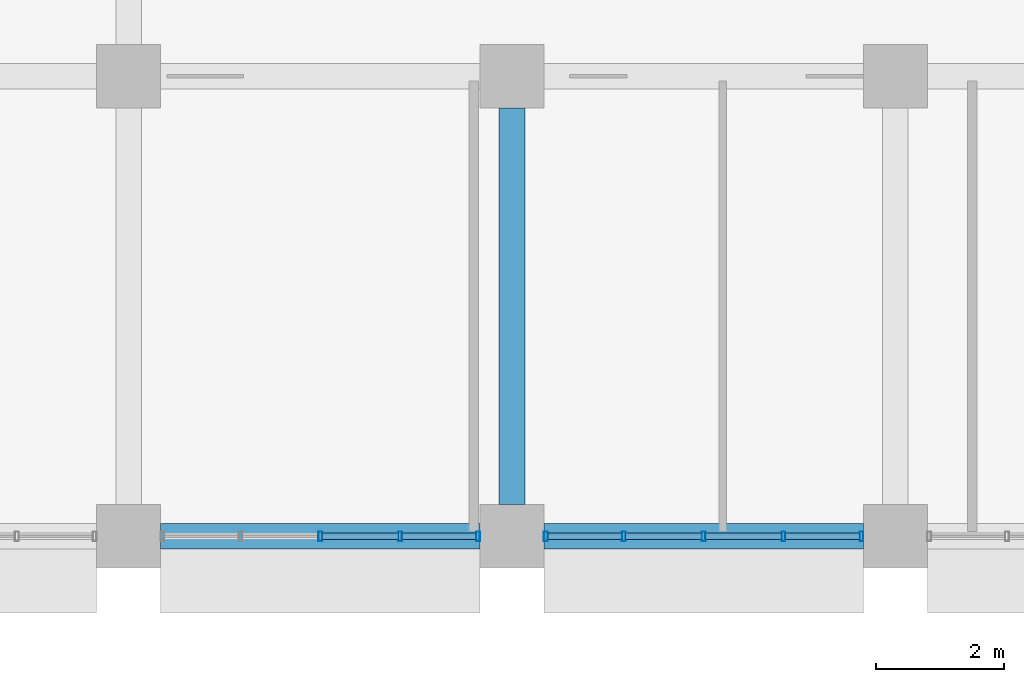
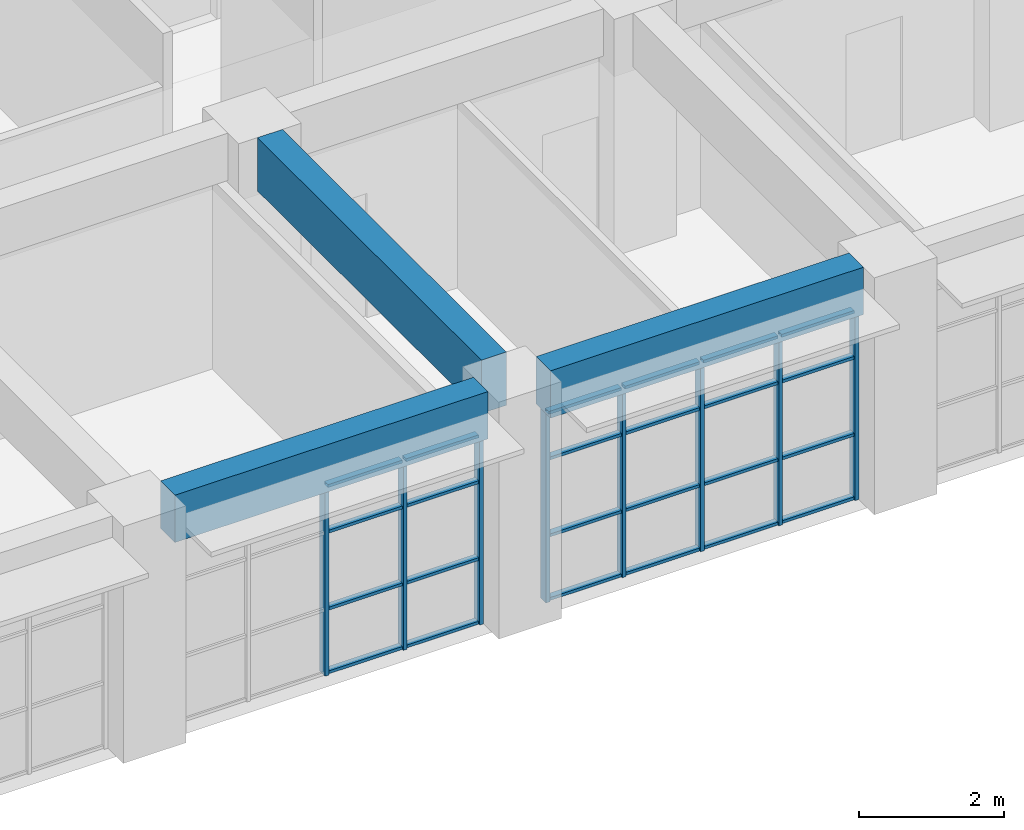
# One storey, part 47 of 101: 32 members, 3 beams, 2 elements without a shape of their own.
"""IFC4 building model written with IfcOpenShell, lengths in metres."""

from ifc_helpers import new_model, si_unit, direction, frame, origin, origin_2d, place, context, subcontext, project, spatial, rectangle, hollow_rectangle, extrude, material, material_profile, profile_set, type_object, element, aggregate, save


model = new_model("IFC4")

# Units and contexts
model_context = context("Model", 3, precision=1e-05, world=origin(), true_north=direction((0.0, 1.0)))
body_context = subcontext(model_context, "Body", "Model", "MODEL_VIEW")
ifc_project = project(units=[si_unit("LENGTHUNIT", "METRE"), si_unit("AREAUNIT", "SQUARE_METRE"), si_unit("VOLUMEUNIT", "CUBIC_METRE"), si_unit("PLANEANGLEUNIT", "RADIAN"), si_unit("MASSUNIT", "GRAM", prefix="KILO")], contexts=[model_context])

# Site, building, storey
site_placement = place(None, origin())
site = spatial("IfcSite", under=ifc_project, at=site_placement, CompositionType="ELEMENT")
building_placement = place(site_placement, origin())
building = spatial("IfcBuilding", under=site, at=building_placement, Name="Laocheng Heights Fire and Rescue Headquarters", CompositionType="ELEMENT")
storey_placement = place(building_placement, frame((0.0, 0.0, 8.39990234375)))
storey = spatial("IfcBuildingStorey", under=building, at=storey_placement, Name="L02", CompositionType="ELEMENT", Elevation=8.39990234375)

# Curtain wall, members
ifc_material_1 = material(Name="Dark anodised aluminium unitised curtain wall, low-e double glazing", Category="aluminium")
curtain_wall_type = type_object("IfcCurtainWallType", Name="CW 5000 x 3200 HQ SOUTH RIBBON", PredefinedType="NOTDEFINED", material=ifc_material_1)
curtain_wall_1_placement = place(storey_placement, origin())
curtain_wall_1 = element("IfcCurtainWall", 1, at=curtain_wall_1_placement, inside=storey, type_object=curtain_wall_type, Name="X10-X HQ SOUTH L02", PredefinedType="NOTDEFINED")
ifc_material_2 = material(Name="Dark anodised aluminium 6063-T5 extrusion", Category="aluminium")
ifc_material_profile_1 = material_profile(ifc_material_2, hollow_rectangle(XDim=0.14990234375, YDim=0.06005859375, WallThickness=0.0029296875, at=origin_2d()), Name="AL MULLION 150x60x3 HQ SOUTH RIBBON")
ifc_profile_set_1 = profile_set([ifc_material_profile_1], Name="Dark anodised aluminium 6063-T5 extrusion")
member_type_1 = type_object("IfcMemberType", Name="AL MULLION 150x60x3 HQ SOUTH RIBBON", PredefinedType="MULLION", material=ifc_profile_set_1)
member_1_placement = place(storey_placement, frame((63.0, 50.39990234375, 0.0), z_axis=(0.0, 0.0, 1.0), x_axis=(0.0, 1.0, 0.0)))
member_1 = element("IfcMember", 2, at=member_1_placement, type_object=member_type_1, Name="X10-X mullion 3", PredefinedType="MULLION", context=body_context, shape_type="SweptSolid", body=[
    extrude(hollow_rectangle(XDim=0.14990234375, YDim=0.06005859375, WallThickness=0.0029296875, at=origin_2d()), origin(), (0.0, 0.0, 1.0), 3.2001953125),
])
member_2_placement = place(storey_placement, frame((64.25, 50.39990234375, 0.0), z_axis=(0.0, 0.0, 1.0), x_axis=(0.0, 1.0, 0.0)))
member_2 = element("IfcMember", 3, at=member_2_placement, type_object=member_type_1, Name="X10-X mullion 4", PredefinedType="MULLION", context=body_context, shape_type="SweptSolid", body=[
    extrude(hollow_rectangle(XDim=0.14990234375, YDim=0.06005859375, WallThickness=0.0029296875, at=origin_2d()), origin(), (0.0, 0.0, 1.0), 3.2001953125),
])
member_3_placement = place(storey_placement, frame((65.469970703125, 50.39990234375, 0.0), z_axis=(0.0, 0.0, 1.0), x_axis=(0.0, 1.0, 0.0)))
member_3 = element("IfcMember", 4, at=member_3_placement, type_object=member_type_1, Name="X10-X mullion 5", PredefinedType="MULLION", context=body_context, shape_type="SweptSolid", body=[
    extrude(hollow_rectangle(XDim=0.14990234375, YDim=0.06005859375, WallThickness=0.0029296875, at=origin_2d()), origin(), (0.0, 0.0, 1.0), 3.2001953125),
])

curtain_wall_2_placement = place(storey_placement, origin())
curtain_wall_2 = element("IfcCurtainWall", 5, at=curtain_wall_2_placement, inside=storey, type_object=curtain_wall_type, Name="X10-X HQ SOUTH L02", PredefinedType="NOTDEFINED")
member_4_placement = place(storey_placement, frame((66.530029296875, 50.39990234375, 0.0), z_axis=(0.0, 0.0, 1.0), x_axis=(0.0, 1.0, 0.0)))
member_4 = element("IfcMember", 6, at=member_4_placement, type_object=member_type_1, Name="X10-X mullion 1", PredefinedType="MULLION", context=body_context, shape_type="SweptSolid", body=[
    extrude(hollow_rectangle(XDim=0.14990234375, YDim=0.06005859375, WallThickness=0.0029296875, at=origin_2d()), origin(), (0.0, 0.0, 1.0), 3.2001953125),
])
member_5_placement = place(storey_placement, frame((67.75, 50.39990234375, 0.0), z_axis=(0.0, 0.0, 1.0), x_axis=(0.0, 1.0, 0.0)))
member_5 = element("IfcMember", 7, at=member_5_placement, type_object=member_type_1, Name="X10-X mullion 2", PredefinedType="MULLION", context=body_context, shape_type="SweptSolid", body=[
    extrude(hollow_rectangle(XDim=0.14990234375, YDim=0.06005859375, WallThickness=0.0029296875, at=origin_2d()), origin(), (0.0, 0.0, 1.0), 3.2001953125),
])
member_6_placement = place(storey_placement, frame((69.0, 50.39990234375, 0.0), z_axis=(0.0, 0.0, 1.0), x_axis=(0.0, 1.0, 0.0)))
member_6 = element("IfcMember", 8, at=member_6_placement, type_object=member_type_1, Name="X10-X mullion 3", PredefinedType="MULLION", context=body_context, shape_type="SweptSolid", body=[
    extrude(hollow_rectangle(XDim=0.14990234375, YDim=0.06005859375, WallThickness=0.0029296875, at=origin_2d()), origin(), (0.0, 0.0, 1.0), 3.2001953125),
])
member_7_placement = place(storey_placement, frame((70.25, 50.39990234375, 0.0), z_axis=(0.0, 0.0, 1.0), x_axis=(0.0, 1.0, 0.0)))
member_7 = element("IfcMember", 9, at=member_7_placement, type_object=member_type_1, Name="X10-X mullion 4", PredefinedType="MULLION", context=body_context, shape_type="SweptSolid", body=[
    extrude(hollow_rectangle(XDim=0.14990234375, YDim=0.06005859375, WallThickness=0.0029296875, at=origin_2d()), origin(), (0.0, 0.0, 1.0), 3.2001953125),
])
member_8_placement = place(storey_placement, frame((71.469970703125, 50.39990234375, 0.0), z_axis=(0.0, 0.0, 1.0), x_axis=(0.0, 1.0, 0.0)))
member_8 = element("IfcMember", 10, at=member_8_placement, type_object=member_type_1, Name="X10-X mullion 5", PredefinedType="MULLION", context=body_context, shape_type="SweptSolid", body=[
    extrude(hollow_rectangle(XDim=0.14990234375, YDim=0.06005859375, WallThickness=0.0029296875, at=origin_2d()), origin(), (0.0, 0.0, 1.0), 3.2001953125),
])

# Member
ifc_material_3 = material(Name="Dark anodised aluminium 6063-T5 extrusion", Category="aluminium")
ifc_material_profile_2 = material_profile(ifc_material_3, hollow_rectangle(XDim=0.10009765625, YDim=0.050048828125, WallThickness=0.0029296875, at=origin_2d()), Name="AL TRANSOM 100x50x3 HQ SOUTH RIBBON")
ifc_profile_set_2 = profile_set([ifc_material_profile_2], Name="Dark anodised aluminium 6063-T5 extrusion")
member_type_2 = type_object("IfcMemberType", Name="AL TRANSOM 100x50x3 HQ SOUTH RIBBON", PredefinedType="USERDEFINED", material=ifc_profile_set_2)
member_9_placement = place(storey_placement, frame((63.030029296875, 50.39990234375, 0.025146484375), z_axis=(1.0, 0.0, 0.0), x_axis=(0.0, 1.0, 0.0)))
member_9 = element("IfcMember", 11, at=member_9_placement, type_object=member_type_2, Name="X10-X transom 3.1", ObjectType="TRANSOM", PredefinedType="USERDEFINED", context=body_context, shape_type="SweptSolid", body=[
    extrude(hollow_rectangle(XDim=0.10009765625, YDim=0.050048828125, WallThickness=0.0029296875, at=origin_2d()), origin(), (0.0, 0.0, 1.0), 1.18994140625),
])

member_10_placement = place(storey_placement, frame((63.030029296875, 50.39990234375, 1.10009765625), z_axis=(1.0, 0.0, 0.0), x_axis=(0.0, 1.0, 0.0)))
member_10 = element("IfcMember", 12, at=member_10_placement, type_object=member_type_2, Name="X10-X transom 3.2", ObjectType="TRANSOM", PredefinedType="USERDEFINED", context=body_context, shape_type="SweptSolid", body=[
    extrude(hollow_rectangle(XDim=0.10009765625, YDim=0.050048828125, WallThickness=0.0029296875, at=origin_2d()), origin(), (0.0, 0.0, 1.0), 1.18994140625),
])

member_11_placement = place(storey_placement, frame((63.030029296875, 50.39990234375, 2.400146484375), z_axis=(1.0, 0.0, 0.0), x_axis=(0.0, 1.0, 0.0)))
member_11 = element("IfcMember", 13, at=member_11_placement, type_object=member_type_2, Name="X10-X transom 3.3", ObjectType="TRANSOM", PredefinedType="USERDEFINED", context=body_context, shape_type="SweptSolid", body=[
    extrude(hollow_rectangle(XDim=0.10009765625, YDim=0.050048828125, WallThickness=0.0029296875, at=origin_2d()), origin(), (0.0, 0.0, 1.0), 1.18994140625),
])

member_12_placement = place(storey_placement, frame((63.030029296875, 50.39990234375, 3.175048828125), z_axis=(1.0, 0.0, 0.0), x_axis=(0.0, 1.0, 0.0)))
member_12 = element("IfcMember", 14, at=member_12_placement, type_object=member_type_2, Name="X10-X transom 3.4", ObjectType="TRANSOM", PredefinedType="USERDEFINED", context=body_context, shape_type="SweptSolid", body=[
    extrude(hollow_rectangle(XDim=0.10009765625, YDim=0.050048828125, WallThickness=0.0029296875, at=origin_2d()), origin(), (0.0, 0.0, 1.0), 1.18994140625),
])

member_13_placement = place(storey_placement, frame((64.280029296875, 50.39990234375, 0.025146484375), z_axis=(1.0, 0.0, 0.0), x_axis=(0.0, 1.0, 0.0)))
member_13 = element("IfcMember", 15, at=member_13_placement, type_object=member_type_2, Name="X10-X transom 4.1", ObjectType="TRANSOM", PredefinedType="USERDEFINED", context=body_context, shape_type="SweptSolid", body=[
    extrude(hollow_rectangle(XDim=0.10009765625, YDim=0.050048828125, WallThickness=0.0029296875, at=origin_2d()), origin(), (0.0, 0.0, 1.0), 1.159912109375),
])

member_14_placement = place(storey_placement, frame((64.280029296875, 50.39990234375, 1.10009765625), z_axis=(1.0, 0.0, 0.0), x_axis=(0.0, 1.0, 0.0)))
member_14 = element("IfcMember", 16, at=member_14_placement, type_object=member_type_2, Name="X10-X transom 4.2", ObjectType="TRANSOM", PredefinedType="USERDEFINED", context=body_context, shape_type="SweptSolid", body=[
    extrude(hollow_rectangle(XDim=0.10009765625, YDim=0.050048828125, WallThickness=0.0029296875, at=origin_2d()), origin(), (0.0, 0.0, 1.0), 1.159912109375),
])

member_15_placement = place(storey_placement, frame((64.280029296875, 50.39990234375, 2.400146484375), z_axis=(1.0, 0.0, 0.0), x_axis=(0.0, 1.0, 0.0)))
member_15 = element("IfcMember", 17, at=member_15_placement, type_object=member_type_2, Name="X10-X transom 4.3", ObjectType="TRANSOM", PredefinedType="USERDEFINED", context=body_context, shape_type="SweptSolid", body=[
    extrude(hollow_rectangle(XDim=0.10009765625, YDim=0.050048828125, WallThickness=0.0029296875, at=origin_2d()), origin(), (0.0, 0.0, 1.0), 1.159912109375),
])

member_16_placement = place(storey_placement, frame((64.280029296875, 50.39990234375, 3.175048828125), z_axis=(1.0, 0.0, 0.0), x_axis=(0.0, 1.0, 0.0)))
member_16 = element("IfcMember", 18, at=member_16_placement, type_object=member_type_2, Name="X10-X transom 4.4", ObjectType="TRANSOM", PredefinedType="USERDEFINED", context=body_context, shape_type="SweptSolid", body=[
    extrude(hollow_rectangle(XDim=0.10009765625, YDim=0.050048828125, WallThickness=0.0029296875, at=origin_2d()), origin(), (0.0, 0.0, 1.0), 1.159912109375),
])

aggregate(curtain_wall_1, [member_1, member_2, member_3, member_9, member_10, member_11, member_12, member_13, member_14, member_15, member_16])

member_17_placement = place(storey_placement, frame((66.56005859375, 50.39990234375, 0.025146484375), z_axis=(1.0, 0.0, 0.0), x_axis=(0.0, 1.0, 0.0)))
member_17 = element("IfcMember", 19, at=member_17_placement, type_object=member_type_2, Name="X10-X transom 1.1", ObjectType="TRANSOM", PredefinedType="USERDEFINED", context=body_context, shape_type="SweptSolid", body=[
    extrude(hollow_rectangle(XDim=0.10009765625, YDim=0.050048828125, WallThickness=0.0029296875, at=origin_2d()), origin(), (0.0, 0.0, 1.0), 1.159912109375),
])

member_18_placement = place(storey_placement, frame((66.56005859375, 50.39990234375, 1.10009765625), z_axis=(1.0, 0.0, 0.0), x_axis=(0.0, 1.0, 0.0)))
member_18 = element("IfcMember", 20, at=member_18_placement, type_object=member_type_2, Name="X10-X transom 1.2", ObjectType="TRANSOM", PredefinedType="USERDEFINED", context=body_context, shape_type="SweptSolid", body=[
    extrude(hollow_rectangle(XDim=0.10009765625, YDim=0.050048828125, WallThickness=0.0029296875, at=origin_2d()), origin(), (0.0, 0.0, 1.0), 1.159912109375),
])

member_19_placement = place(storey_placement, frame((66.56005859375, 50.39990234375, 2.400146484375), z_axis=(1.0, 0.0, 0.0), x_axis=(0.0, 1.0, 0.0)))
member_19 = element("IfcMember", 21, at=member_19_placement, type_object=member_type_2, Name="X10-X transom 1.3", ObjectType="TRANSOM", PredefinedType="USERDEFINED", context=body_context, shape_type="SweptSolid", body=[
    extrude(hollow_rectangle(XDim=0.10009765625, YDim=0.050048828125, WallThickness=0.0029296875, at=origin_2d()), origin(), (0.0, 0.0, 1.0), 1.159912109375),
])

member_20_placement = place(storey_placement, frame((66.56005859375, 50.39990234375, 3.175048828125), z_axis=(1.0, 0.0, 0.0), x_axis=(0.0, 1.0, 0.0)))
member_20 = element("IfcMember", 22, at=member_20_placement, type_object=member_type_2, Name="X10-X transom 1.4", ObjectType="TRANSOM", PredefinedType="USERDEFINED", context=body_context, shape_type="SweptSolid", body=[
    extrude(hollow_rectangle(XDim=0.10009765625, YDim=0.050048828125, WallThickness=0.0029296875, at=origin_2d()), origin(), (0.0, 0.0, 1.0), 1.159912109375),
])

member_21_placement = place(storey_placement, frame((67.780029296875, 50.39990234375, 0.025146484375), z_axis=(1.0, 0.0, 0.0), x_axis=(0.0, 1.0, 0.0)))
member_21 = element("IfcMember", 23, at=member_21_placement, type_object=member_type_2, Name="X10-X transom 2.1", ObjectType="TRANSOM", PredefinedType="USERDEFINED", context=body_context, shape_type="SweptSolid", body=[
    extrude(hollow_rectangle(XDim=0.10009765625, YDim=0.050048828125, WallThickness=0.0029296875, at=origin_2d()), origin(), (0.0, 0.0, 1.0), 1.18994140625),
])

member_22_placement = place(storey_placement, frame((67.780029296875, 50.39990234375, 1.10009765625), z_axis=(1.0, 0.0, 0.0), x_axis=(0.0, 1.0, 0.0)))
member_22 = element("IfcMember", 24, at=member_22_placement, type_object=member_type_2, Name="X10-X transom 2.2", ObjectType="TRANSOM", PredefinedType="USERDEFINED", context=body_context, shape_type="SweptSolid", body=[
    extrude(hollow_rectangle(XDim=0.10009765625, YDim=0.050048828125, WallThickness=0.0029296875, at=origin_2d()), origin(), (0.0, 0.0, 1.0), 1.18994140625),
])

member_23_placement = place(storey_placement, frame((67.780029296875, 50.39990234375, 2.400146484375), z_axis=(1.0, 0.0, 0.0), x_axis=(0.0, 1.0, 0.0)))
member_23 = element("IfcMember", 25, at=member_23_placement, type_object=member_type_2, Name="X10-X transom 2.3", ObjectType="TRANSOM", PredefinedType="USERDEFINED", context=body_context, shape_type="SweptSolid", body=[
    extrude(hollow_rectangle(XDim=0.10009765625, YDim=0.050048828125, WallThickness=0.0029296875, at=origin_2d()), origin(), (0.0, 0.0, 1.0), 1.18994140625),
])

member_24_placement = place(storey_placement, frame((67.780029296875, 50.39990234375, 3.175048828125), z_axis=(1.0, 0.0, 0.0), x_axis=(0.0, 1.0, 0.0)))
member_24 = element("IfcMember", 26, at=member_24_placement, type_object=member_type_2, Name="X10-X transom 2.4", ObjectType="TRANSOM", PredefinedType="USERDEFINED", context=body_context, shape_type="SweptSolid", body=[
    extrude(hollow_rectangle(XDim=0.10009765625, YDim=0.050048828125, WallThickness=0.0029296875, at=origin_2d()), origin(), (0.0, 0.0, 1.0), 1.18994140625),
])

member_25_placement = place(storey_placement, frame((69.030029296875, 50.39990234375, 0.025146484375), z_axis=(1.0, 0.0, 0.0), x_axis=(0.0, 1.0, 0.0)))
member_25 = element("IfcMember", 27, at=member_25_placement, type_object=member_type_2, Name="X10-X transom 3.1", ObjectType="TRANSOM", PredefinedType="USERDEFINED", context=body_context, shape_type="SweptSolid", body=[
    extrude(hollow_rectangle(XDim=0.10009765625, YDim=0.050048828125, WallThickness=0.0029296875, at=origin_2d()), origin(), (0.0, 0.0, 1.0), 1.18994140625),
])

member_26_placement = place(storey_placement, frame((69.030029296875, 50.39990234375, 1.10009765625), z_axis=(1.0, 0.0, 0.0), x_axis=(0.0, 1.0, 0.0)))
member_26 = element("IfcMember", 28, at=member_26_placement, type_object=member_type_2, Name="X10-X transom 3.2", ObjectType="TRANSOM", PredefinedType="USERDEFINED", context=body_context, shape_type="SweptSolid", body=[
    extrude(hollow_rectangle(XDim=0.10009765625, YDim=0.050048828125, WallThickness=0.0029296875, at=origin_2d()), origin(), (0.0, 0.0, 1.0), 1.18994140625),
])

member_27_placement = place(storey_placement, frame((69.030029296875, 50.39990234375, 2.400146484375), z_axis=(1.0, 0.0, 0.0), x_axis=(0.0, 1.0, 0.0)))
member_27 = element("IfcMember", 29, at=member_27_placement, type_object=member_type_2, Name="X10-X transom 3.3", ObjectType="TRANSOM", PredefinedType="USERDEFINED", context=body_context, shape_type="SweptSolid", body=[
    extrude(hollow_rectangle(XDim=0.10009765625, YDim=0.050048828125, WallThickness=0.0029296875, at=origin_2d()), origin(), (0.0, 0.0, 1.0), 1.18994140625),
])

member_28_placement = place(storey_placement, frame((69.030029296875, 50.39990234375, 3.175048828125), z_axis=(1.0, 0.0, 0.0), x_axis=(0.0, 1.0, 0.0)))
member_28 = element("IfcMember", 30, at=member_28_placement, type_object=member_type_2, Name="X10-X transom 3.4", ObjectType="TRANSOM", PredefinedType="USERDEFINED", context=body_context, shape_type="SweptSolid", body=[
    extrude(hollow_rectangle(XDim=0.10009765625, YDim=0.050048828125, WallThickness=0.0029296875, at=origin_2d()), origin(), (0.0, 0.0, 1.0), 1.18994140625),
])

member_29_placement = place(storey_placement, frame((70.280029296875, 50.39990234375, 0.025146484375), z_axis=(1.0, 0.0, 0.0), x_axis=(0.0, 1.0, 0.0)))
member_29 = element("IfcMember", 31, at=member_29_placement, type_object=member_type_2, Name="X10-X transom 4.1", ObjectType="TRANSOM", PredefinedType="USERDEFINED", context=body_context, shape_type="SweptSolid", body=[
    extrude(hollow_rectangle(XDim=0.10009765625, YDim=0.050048828125, WallThickness=0.0029296875, at=origin_2d()), origin(), (0.0, 0.0, 1.0), 1.159912109375),
])

member_30_placement = place(storey_placement, frame((70.280029296875, 50.39990234375, 1.10009765625), z_axis=(1.0, 0.0, 0.0), x_axis=(0.0, 1.0, 0.0)))
member_30 = element("IfcMember", 32, at=member_30_placement, type_object=member_type_2, Name="X10-X transom 4.2", ObjectType="TRANSOM", PredefinedType="USERDEFINED", context=body_context, shape_type="SweptSolid", body=[
    extrude(hollow_rectangle(XDim=0.10009765625, YDim=0.050048828125, WallThickness=0.0029296875, at=origin_2d()), origin(), (0.0, 0.0, 1.0), 1.159912109375),
])

member_31_placement = place(storey_placement, frame((70.280029296875, 50.39990234375, 2.400146484375), z_axis=(1.0, 0.0, 0.0), x_axis=(0.0, 1.0, 0.0)))
member_31 = element("IfcMember", 33, at=member_31_placement, type_object=member_type_2, Name="X10-X transom 4.3", ObjectType="TRANSOM", PredefinedType="USERDEFINED", context=body_context, shape_type="SweptSolid", body=[
    extrude(hollow_rectangle(XDim=0.10009765625, YDim=0.050048828125, WallThickness=0.0029296875, at=origin_2d()), origin(), (0.0, 0.0, 1.0), 1.159912109375),
])

member_32_placement = place(storey_placement, frame((70.280029296875, 50.39990234375, 3.175048828125), z_axis=(1.0, 0.0, 0.0), x_axis=(0.0, 1.0, 0.0)))
member_32 = element("IfcMember", 34, at=member_32_placement, type_object=member_type_2, Name="X10-X transom 4.4", ObjectType="TRANSOM", PredefinedType="USERDEFINED", context=body_context, shape_type="SweptSolid", body=[
    extrude(hollow_rectangle(XDim=0.10009765625, YDim=0.050048828125, WallThickness=0.0029296875, at=origin_2d()), origin(), (0.0, 0.0, 1.0), 1.159912109375),
])

aggregate(curtain_wall_2, [member_4, member_5, member_6, member_7, member_8, member_17, member_18, member_19, member_20, member_21, member_22, member_23, member_24, member_25, member_26, member_27, member_28, member_29, member_30, member_31, member_32])

# Beams
ifc_material_4 = material(Name="Concrete C40", Category="concrete")
ifc_material_profile_3 = material_profile(ifc_material_4, rectangle(XDim=0.39990234375, YDim=0.800048828125, at=origin_2d()), Name="RC BEAM 400x800 HQ")
ifc_profile_set_3 = profile_set([ifc_material_profile_3], Name="Concrete C40")
beam_type_1 = type_object("IfcBeamType", Name="RC BEAM 400x800 HQ", PredefinedType="BEAM", material=ifc_profile_set_3)
for number, where, z_axis, x_axis, name in (
    (35, (60.5, 50.39990234375, 3.60009765625), (1.0, 0.0, 0.0), (0.0, 1.0, 0.0), "HQ beam L02"),
    (36, (66.5, 50.39990234375, 3.60009765625), (1.0, 0.0, 0.0), (0.0, 1.0, 0.0), "HQ beam L02"),
):
    element("IfcBeam", number, at=place(storey_placement, frame(where, z_axis=z_axis, x_axis=x_axis)), inside=storey, type_object=beam_type_1, Name=name, PredefinedType="BEAM", context=body_context, shape_type="SweptSolid", body=[
        extrude(rectangle(XDim=0.39990234375, YDim=0.800048828125, at=origin_2d()), origin(), (0.0, 0.0, 1.0), 5.0),
    ])
ifc_material_5 = material(Name="Concrete C40", Category="concrete")
ifc_material_profile_4 = material_profile(ifc_material_5, rectangle(XDim=0.39990234375, YDim=0.89990234375, at=origin_2d()), Name="RC BEAM 400x900 HQ")
ifc_profile_set_4 = profile_set([ifc_material_profile_4], Name="Concrete C40")
beam_type_2 = type_object("IfcBeamType", Name="RC BEAM 400x900 HQ", PredefinedType="BEAM", material=ifc_profile_set_4)
beam_placement = place(storey_placement, frame((66.0, 50.89990234375, 3.550048828125), z_axis=(0.0, 1.0, 0.0), x_axis=(-1.0, 0.0, 0.0)))
element("IfcBeam", 37, at=beam_placement, inside=storey, type_object=beam_type_2, Name="HQ beam L02", PredefinedType="BEAM", context=body_context, shape_type="SweptSolid", body=[
    extrude(rectangle(XDim=0.39990234375, YDim=0.89990234375, at=origin_2d()), origin(), (0.0, 0.0, 1.0), 6.2001953125),
])

save(model, "model.ifc")
